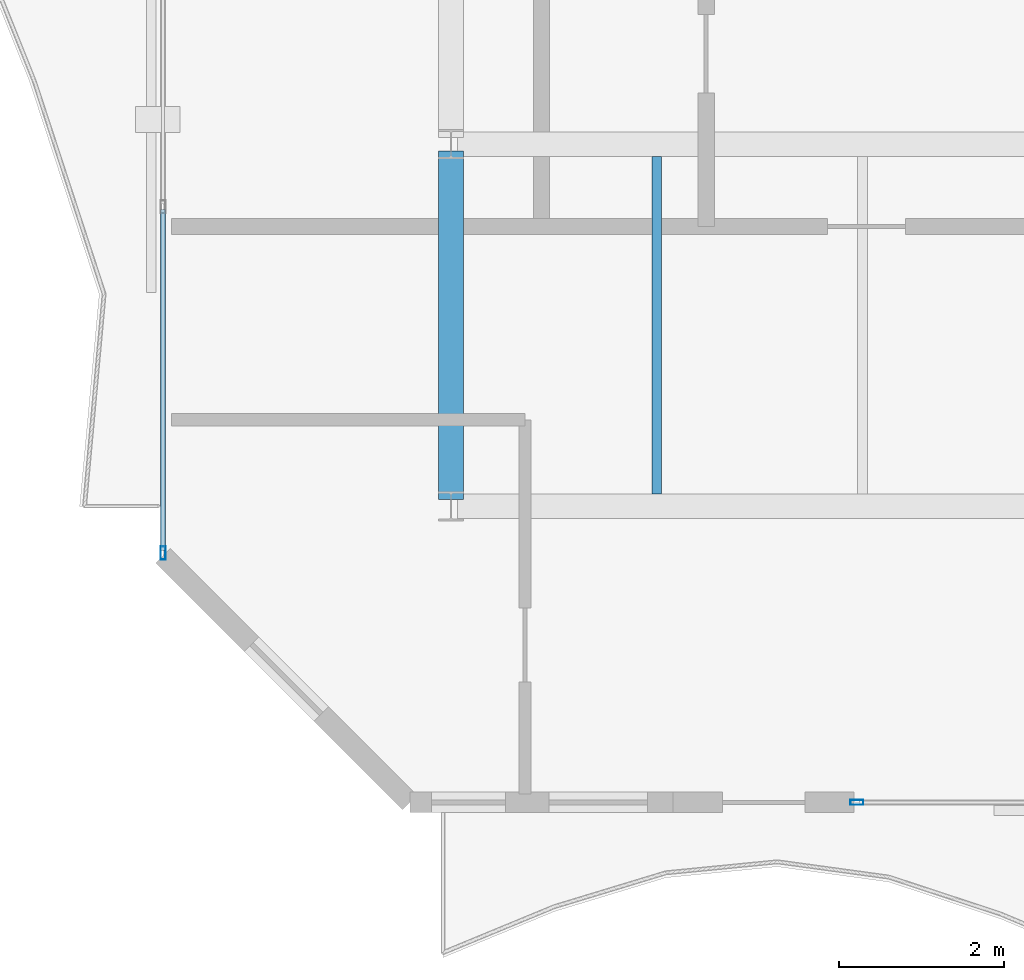
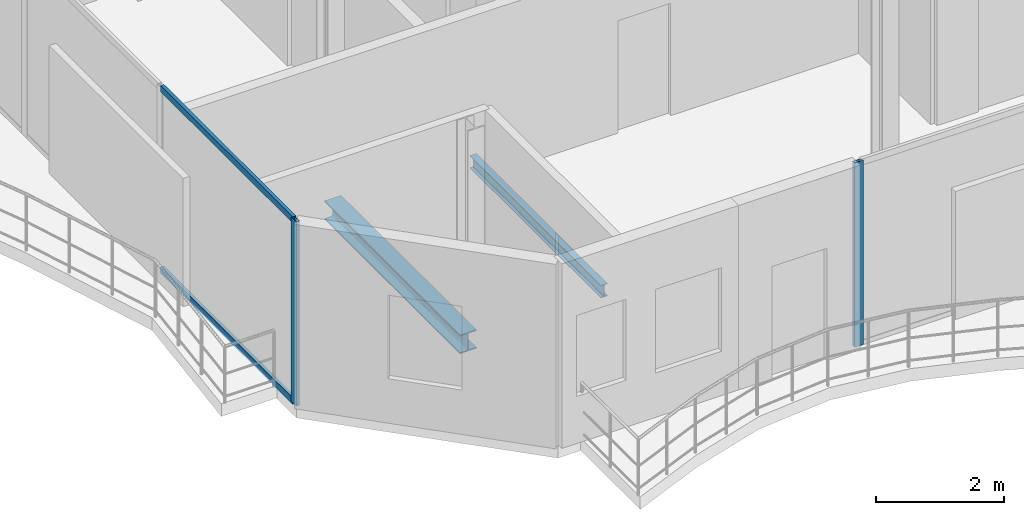
# One storey, part 3 of 23: 4 members, 2 beams, 2 elements without a shape of their own.
"""IFC4 building model written with IfcOpenShell, lengths in metres."""

from ifc_helpers import new_model, si_unit, direction, frame, origin, origin_2d, place, context, subcontext, project, spatial, hollow_rectangle, i_section, extrude, material, layer, layer_set, material_profile, profile_set, type_object, element, aggregate, save


model = new_model("IFC4")

# Units and contexts
model_context = context("Model", 3, precision=1e-05, world=origin(), true_north=direction((0.0, 1.0)))
body_context = subcontext(model_context, "Body", "Model", "MODEL_VIEW")
ifc_project = project(units=[si_unit("LENGTHUNIT", "METRE"), si_unit("AREAUNIT", "SQUARE_METRE"), si_unit("VOLUMEUNIT", "CUBIC_METRE"), si_unit("PLANEANGLEUNIT", "RADIAN"), si_unit("MASSUNIT", "GRAM", prefix="KILO")], contexts=[model_context])

# Site, building, storey
site_placement = place(None, origin())
site = spatial("IfcSite", under=ifc_project, at=site_placement, CompositionType="ELEMENT")
building_placement = place(site_placement, origin())
building = spatial("IfcBuilding", under=site, at=building_placement, Name="Catumbela Crestline Tower", CompositionType="ELEMENT")
storey_placement = place(building_placement, frame((0.0, 0.0, 245.0)))
storey = spatial("IfcBuildingStorey", under=building, at=storey_placement, Name="L63", CompositionType="ELEMENT", Elevation=245.0)

# Beams
ifc_material_1 = material(Name="Structural steel S355J2", Category="steel")
ifc_material_profile_1 = material_profile(ifc_material_1, i_section(OverallWidth=0.3, OverallDepth=0.36, WebThickness=0.0125, FlangeThickness=0.0225, FilletRadius=0.027, at=origin_2d()), Name="HEB 360")
ifc_profile_set_1 = profile_set([ifc_material_profile_1], Name="Structural steel S355J2")
beam_type_1 = type_object("IfcBeamType", Name="BG-HEB360", PredefinedType="BEAM", material=ifc_profile_set_1)
beam_1_placement = place(storey_placement, frame((8.5, 13.68, -0.44), z_axis=(0.0, 1.0, 0.0), x_axis=(-1.0, 0.0, 0.0)))
element("IfcBeam", 1, at=beam_1_placement, inside=storey, type_object=beam_type_1, Name="L63 Beam BM-L63-WNS31", PredefinedType="BEAM", context=body_context, shape_type="SweptSolid", body=[
    extrude(i_section(OverallWidth=0.3, OverallDepth=0.36, WebThickness=0.0125, FlangeThickness=0.0225, FilletRadius=0.027, at=origin_2d()), origin(), (0.0, 0.0, 1.0), 4.24),
])
ifc_material_profile_2 = material_profile(ifc_material_1, i_section(OverallWidth=0.12, OverallDepth=0.24, WebThickness=0.0062, FlangeThickness=0.0098, FilletRadius=0.015, at=origin_2d()), Name="IPE 240")
ifc_profile_set_2 = profile_set([ifc_material_profile_2], Name="Structural steel S355J2")
beam_type_2 = type_object("IfcBeamType", Name="BJ-IPE240", PredefinedType="JOIST", material=ifc_profile_set_2)
beam_2_placement = place(storey_placement, frame((11.0, 13.747, -0.38), z_axis=(0.0, 1.0, 0.0), x_axis=(-1.0, 0.0, 0.0)))
element("IfcBeam", 2, at=beam_2_placement, inside=storey, type_object=beam_type_2, Name="L63 Joist JS-L63-WG36", PredefinedType="JOIST", context=body_context, shape_type="SweptSolid", body=[
    extrude(i_section(OverallWidth=0.12, OverallDepth=0.24, WebThickness=0.0062, FlangeThickness=0.0098, FilletRadius=0.015, at=origin_2d()), origin(), (0.0, 0.0, 1.0), 4.106),
])

# Curtain wall, member
ifc_material_2 = material(Name="Aluminium alloy AW-6060-T66", Category="aluminium")
ifc_layer = layer(ifc_material_2, 0.18, Name="Aluminium alloy AW-6060-T66")
ifc_layer_set = layer_set([ifc_layer], Name="Aluminium alloy AW-6060-T66")
curtain_wall_type = type_object("IfcCurtainWallType", Name="CWU-Z4", PredefinedType="USERDEFINED", material=ifc_layer_set)
curtain_wall_1_placement = place(storey_placement, origin())
curtain_wall_1 = element("IfcCurtainWall", 3, at=curtain_wall_1_placement, inside=storey, type_object=curtain_wall_type, Name="L63 Unitised Curtain Wall CW-L63-E0S2", ObjectType="UNITISED", PredefinedType="USERDEFINED")
ifc_material_profile_3 = material_profile(ifc_material_2, hollow_rectangle(XDim=0.06, YDim=0.16, WallThickness=0.004, at=origin_2d()), Name="ALU 160x60x4")
ifc_profile_set_3 = profile_set([ifc_material_profile_3], Name="Aluminium alloy AW-6060-T66")
member_type_1 = type_object("IfcMemberType", Name="MUL-160X60", PredefinedType="MULLION", material=ifc_profile_set_3)
member_1_placement = place(storey_placement, frame((13.4325, 10.0, 0.0), z_axis=(0.0, 0.0, 1.0), x_axis=(0.0, 1.0, 0.0)))
member_1 = element("IfcMember", 4, at=member_1_placement, type_object=member_type_1, Name="CWU-Z4 mullion 1", PredefinedType="MULLION", context=body_context, shape_type="SweptSolid", body=[
    extrude(hollow_rectangle(XDim=0.06, YDim=0.16, WallThickness=0.004, at=origin_2d()), origin(), (0.0, 0.0, 1.0), 3.53),
])
aggregate(curtain_wall_1, [member_1])

# Curtain wall, members
curtain_wall_2_placement = place(storey_placement, origin())
curtain_wall_2 = element("IfcCurtainWall", 5, at=curtain_wall_2_placement, inside=storey, type_object=curtain_wall_type, Name="L63 Unitised Curtain Wall CW-L63-E9S2", ObjectType="UNITISED", PredefinedType="USERDEFINED")
member_2_placement = place(storey_placement, frame((5.0, 13.0325, 0.0), z_axis=(0.0, 0.0, 1.0), x_axis=(1.0, 0.0, 0.0)))
member_2 = element("IfcMember", 6, at=member_2_placement, type_object=member_type_1, Name="CWU-Z4 mullion 6", PredefinedType="MULLION", context=body_context, shape_type="SweptSolid", body=[
    extrude(hollow_rectangle(XDim=0.06, YDim=0.16, WallThickness=0.004, at=origin_2d()), origin(), (0.0, 0.0, 1.0), 3.53),
])
ifc_material_profile_4 = material_profile(ifc_material_2, hollow_rectangle(XDim=0.06, YDim=0.12, WallThickness=0.0035, at=origin_2d()), Name="ALU 120x60x3.5")
ifc_profile_set_4 = profile_set([ifc_material_profile_4], Name="Aluminium alloy AW-6060-T66")
member_type_2 = type_object("IfcMemberType", Name="TRN-120X60", PredefinedType="USERDEFINED", material=ifc_profile_set_4)
member_3_placement = place(storey_placement, frame((5.0, 17.2075, 0.03), z_axis=(0.0, -1.0, 0.0), x_axis=(1.0, 0.0, 0.0)))
member_3 = element("IfcMember", 7, at=member_3_placement, type_object=member_type_2, Name="CWU-Z4 transom 5.1", ObjectType="TRANSOM", PredefinedType="USERDEFINED", context=body_context, shape_type="SweptSolid", body=[
    extrude(hollow_rectangle(XDim=0.06, YDim=0.12, WallThickness=0.0035, at=origin_2d()), origin(), (0.0, 0.0, 1.0), 4.1425),
])
member_4_placement = place(storey_placement, frame((5.0, 17.2075, 3.5), z_axis=(0.0, -1.0, 0.0), x_axis=(1.0, 0.0, 0.0)))
member_4 = element("IfcMember", 8, at=member_4_placement, type_object=member_type_2, Name="CWU-Z4 transom 5.2", ObjectType="TRANSOM", PredefinedType="USERDEFINED", context=body_context, shape_type="SweptSolid", body=[
    extrude(hollow_rectangle(XDim=0.06, YDim=0.12, WallThickness=0.0035, at=origin_2d()), origin(), (0.0, 0.0, 1.0), 4.1425),
])
aggregate(curtain_wall_2, [member_2, member_3, member_4])

save(model, "model.ifc")
